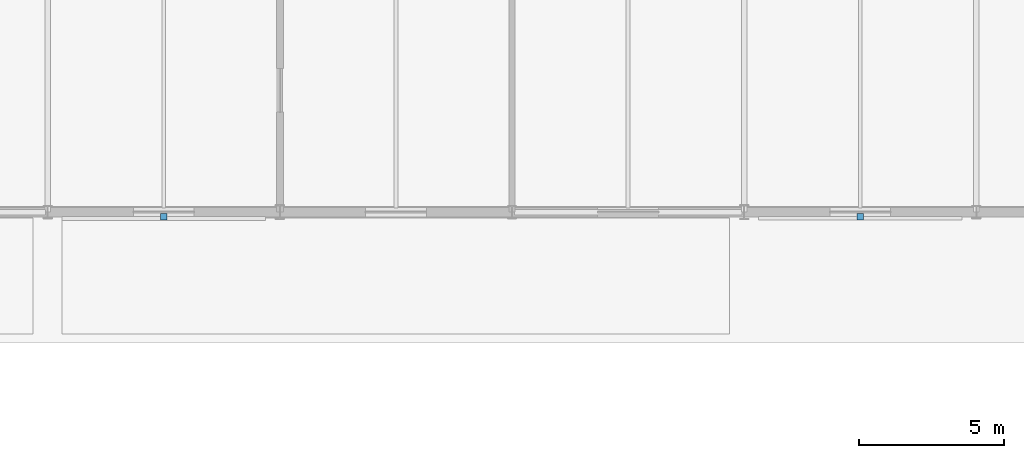
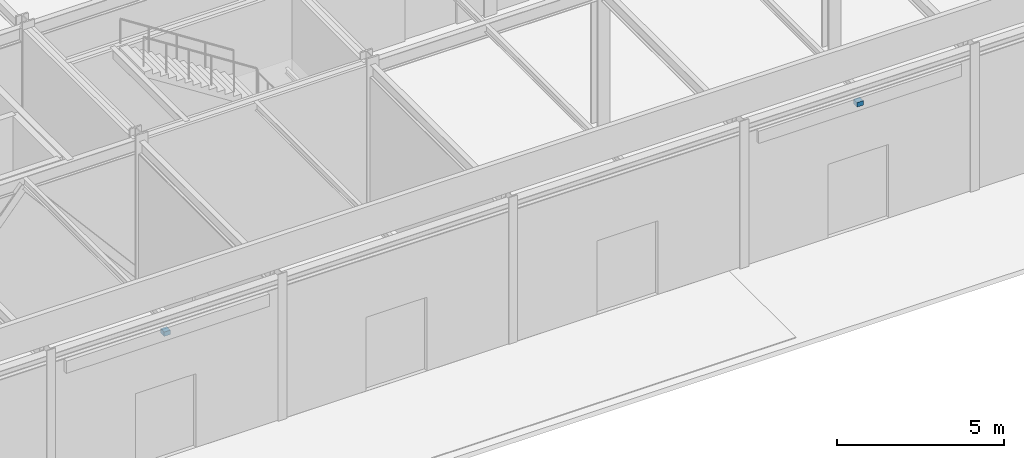
# One storey, part 77 of 89: 2 discrete accessories.
"""IFC4 building model written with IfcOpenShell, lengths in metres."""

from ifc_helpers import new_model, si_unit, direction, frame, origin, origin_2d, place, context, subcontext, project, spatial, rectangle, extrude, material, type_object, element, save


model = new_model("IFC4")

# Units and contexts
model_context = context("Model", 3, precision=1e-05, world=origin(), true_north=direction((0.0, 1.0)))
body_context = subcontext(model_context, "Body", "Model", "MODEL_VIEW")
ifc_project = project(units=[si_unit("LENGTHUNIT", "METRE"), si_unit("AREAUNIT", "SQUARE_METRE"), si_unit("VOLUMEUNIT", "CUBIC_METRE"), si_unit("PLANEANGLEUNIT", "RADIAN"), si_unit("MASSUNIT", "GRAM", prefix="KILO")], contexts=[model_context])

# Site, building, storey
site_placement = place(None, origin())
site = spatial("IfcSite", under=ifc_project, at=site_placement, CompositionType="ELEMENT")
building_placement = place(site_placement, origin())
building = spatial("IfcBuilding", under=site, at=building_placement, Name="Shalkamar Park Central Library", CompositionType="ELEMENT")
storey_placement = place(building_placement, origin())
storey = spatial("IfcBuildingStorey", under=building, at=storey_placement, Name="L01", CompositionType="ELEMENT", Elevation=0.0)

# Discrete accessories
ifc_material = material(Name="Steel S355", Category="steel")
discrete_accessory_type = type_object("IfcDiscreteAccessoryType", Name="Stainless Facade Bracket", PredefinedType="BRACKET", material=ifc_material)
for number, where, z_axis, x_axis, name in (
    (1, (193.0, 239.840087890625, 4.533203125), (0.0, 0.0, 1.0), (1.0, 0.0, 0.0), "Frieze Fixing Bracket L01-004"),
    (2, (217.0, 239.840087890625, 4.533203125), (0.0, 0.0, 1.0), (1.0, 0.0, 0.0), "Frieze Fixing Bracket L01-005"),
):
    element("IfcDiscreteAccessory", number, at=place(storey_placement, frame(where, z_axis=z_axis, x_axis=x_axis)), inside=storey, type_object=discrete_accessory_type, Name=name, PredefinedType="BRACKET", context=body_context, shape_type="SweptSolid", body=[
        extrude(rectangle(XDim=0.219970703125, YDim=0.219970703125, at=origin_2d()), origin(), (0.0, 0.0, 1.0), 0.159912109375),
    ])

save(model, "model.ifc")
